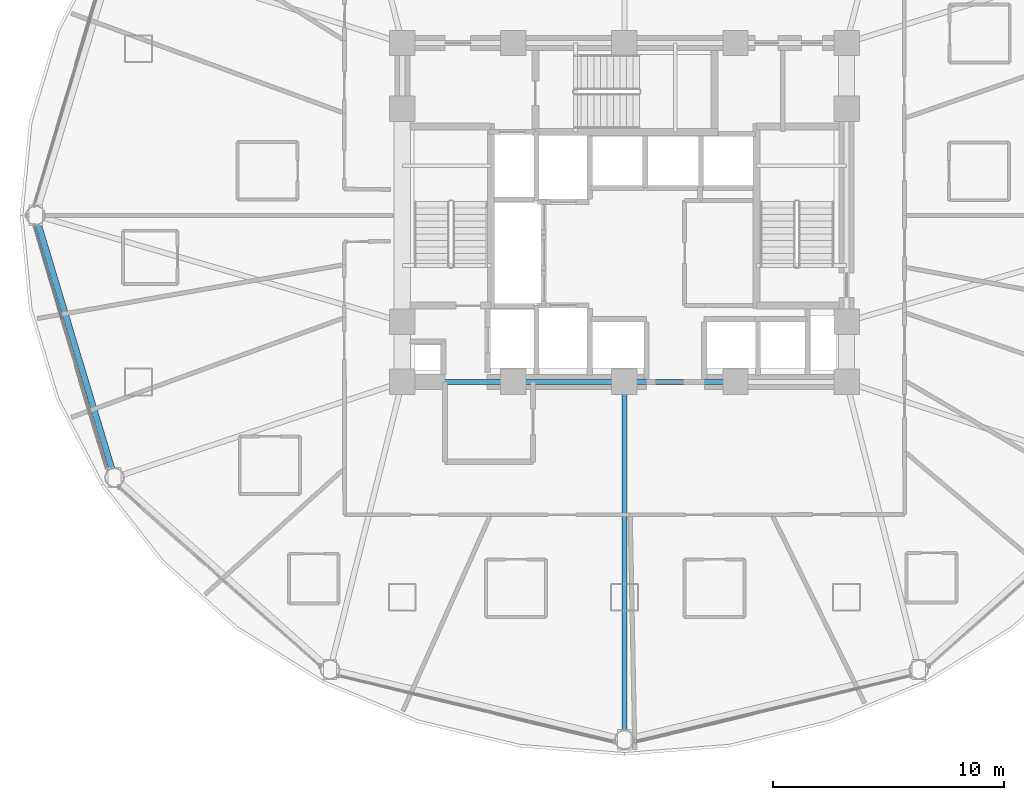
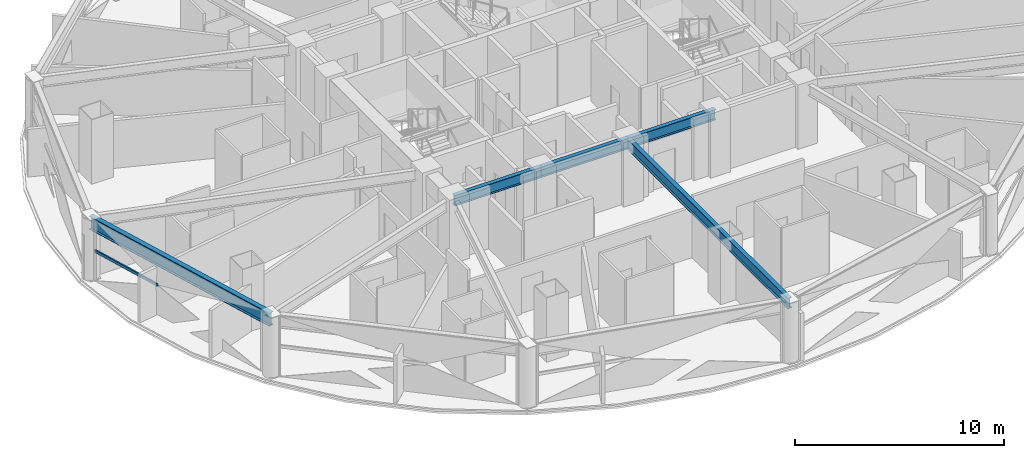
# One storey, part 6 of 31: 5 beams, 1 member, 1 element without a shape of its own.
"""IFC4 building model written with IfcOpenShell, lengths in metres."""

import ifcopenshell
import ifcopenshell.guid

model = None  # the IFC model being written
_history = None  # IfcOwnerHistory: only IFC2X3 demands one
_inside = {}  # id of a spatial element -> (the spatial element, [elements in it])
_under = {}  # id of a project, library or spatial element -> (it, [spatial elements below it])
_declared = {}  # id of a project -> (the project, [libraries it declares])
_typed = {}  # id of a type object -> (the type object, [elements of that type])
_made_of = {}  # id of a material, layer set ... -> (it, [elements and type objects made of it])


def new_model(schema):
    """Start an empty IFC model of exactly this schema.

    Asked for "IFC4X3", IfcOpenShell would pick the latest addendum, in which some entities
    have other attributes; the version numbers below select the first issue.
    IFC2X3 requires an IfcOwnerHistory on every rooted entity: one is made here for all.
    """
    global model, _history
    if schema == "IFC4X3":
        model = ifcopenshell.file(schema_version=(4, 3, 0, 0))
    else:
        model = ifcopenshell.file(schema=schema)
    _inside.clear()
    _under.clear()
    _declared.clear()
    _typed.clear()
    _made_of.clear()
    _history = None
    if model.schema == "IFC2X3":
        org = make("IfcOrganization", Name="unknown")
        user = make(
            "IfcPersonAndOrganization",
            ThePerson=make("IfcPerson", FamilyName="unknown"),
            TheOrganization=org,
        )
        app = make(
            "IfcApplication",
            ApplicationDeveloper=org,
            Version="unknown",
            ApplicationFullName="unknown",
            ApplicationIdentifier="unknown",
        )
        _history = make(
            "IfcOwnerHistory",
            OwningUser=user,
            OwningApplication=app,
            ChangeAction="ADDED",
            CreationDate=0,
        )
    return model


def make(cls, **values):
    """One entity of the class cls with the attributes given. An attribute that is None is left unset."""
    return model.create_entity(
        cls, **{name: value for name, value in values.items() if value is not None}
    )


def rooted(cls, **values):
    """An entity with a GlobalId (a new one), such as an element, a storey or a relation."""
    return make(cls, GlobalId=ifcopenshell.guid.new(), OwnerHistory=_history, **values)


def si_unit(unit_type, name, prefix=None):
    """IfcSIUnit, for example si_unit("LENGTHUNIT", "METRE", prefix="MILLI")."""
    return make("IfcSIUnit", UnitType=unit_type, Prefix=prefix, Name=name)


def assignment(units):
    """IfcUnitAssignment: the units of a project."""
    return None if units is None else make("IfcUnitAssignment", Units=units)


def point(xyz):
    """IfcCartesianPoint."""
    return None if xyz is None else make("IfcCartesianPoint", Coordinates=xyz)


def direction(xyz):
    """IfcDirection."""
    return None if xyz is None else make("IfcDirection", DirectionRatios=xyz)


def frame(location, z_axis=None, x_axis=None):
    """IfcAxis2Placement3D, a coordinate frame: its origin and axes. An axis left out is left unset."""
    return make(
        "IfcAxis2Placement3D",
        Location=point(location),
        Axis=direction(z_axis),
        RefDirection=direction(x_axis),
    )


def frame_2d(location, x_axis=None):
    """IfcAxis2Placement2D, a coordinate frame in the plane: its origin and x axis."""
    return make(
        "IfcAxis2Placement2D", Location=point(location), RefDirection=direction(x_axis)
    )


def origin():
    """The frame at (0, 0, 0) with its axes left unset."""
    return frame((0.0, 0.0, 0.0))


def origin_2d():
    """The frame at (0, 0) in the plane with its x axis left unset."""
    return frame_2d((0.0, 0.0))


def place(relative_to, where):
    """IfcLocalPlacement: puts the frame where relative to a parent placement (None: the world)."""
    return make(
        "IfcLocalPlacement", PlacementRelTo=relative_to, RelativePlacement=where
    )


def context(
    kind, dimensions, precision=None, world=None, true_north=None, identifier=None
):
    """IfcGeometricRepresentationContext, for example the 3D "Model" context."""
    return make(
        "IfcGeometricRepresentationContext",
        ContextIdentifier=identifier,
        ContextType=kind,
        CoordinateSpaceDimension=dimensions,
        Precision=precision,
        WorldCoordinateSystem=world,
        TrueNorth=true_north,
    )


def subcontext(parent, identifier, kind, view, scale=None):
    """IfcGeometricRepresentationSubContext, for example "Body" below "Model"."""
    return make(
        "IfcGeometricRepresentationSubContext",
        ContextIdentifier=identifier,
        ContextType=kind,
        ParentContext=parent,
        TargetScale=scale,
        TargetView=view,
    )


def project(units=None, contexts=None):
    """IfcProject with its units and contexts."""
    return rooted(
        "IfcProject",
        Name="project",
        RepresentationContexts=contexts,
        UnitsInContext=assignment(units),
    )


def spatial(cls, under=None, at=None, **own):
    """A site, building, storey or space (cls), placed at a placement, below another one or the project."""
    s = rooted(cls, ObjectPlacement=at, **own)
    if under is not None:
        _under.setdefault(under.id(), (under, []))[1].append(s)
    return s


def profile(cls, at=None, kind="AREA", **sizes):
    """A parametric profile (cls). Its sizes go by their IFC names, for example OverallWidth=200.0."""
    return make(cls, ProfileType=kind, Position=at, **sizes)


def hollow_rectangle(**sizes):
    """IfcRectangleHollowProfileDef."""
    return profile("IfcRectangleHollowProfileDef", **sizes)


def i_section(**sizes):
    """IfcIShapeProfileDef."""
    return profile("IfcIShapeProfileDef", **sizes)


def extrude(swept, where, along, depth):
    """IfcExtrudedAreaSolid: the profile swept, set in the frame where, extruded along a direction by depth."""
    return make(
        "IfcExtrudedAreaSolid",
        SweptArea=swept,
        Position=where,
        ExtrudedDirection=direction(along),
        Depth=depth,
    )


def shape(context_of_items, identifier, shape_type, items):
    """IfcShapeRepresentation: the items that make up one representation, for example the "Body"."""
    return make(
        "IfcShapeRepresentation",
        ContextOfItems=context_of_items,
        RepresentationIdentifier=identifier,
        RepresentationType=shape_type,
        Items=items,
    )


def material(Name=None, Category=None):
    """IfcMaterial."""
    return make("IfcMaterial", Name=Name, Category=Category)


def layer(
    of_material, thickness, ventilated=None, Name=None, Category=None, Priority=None
):
    """IfcMaterialLayer: one layer of a wall or slab, of a material (None: an air gap)."""
    return make(
        "IfcMaterialLayer",
        Material=of_material,
        LayerThickness=thickness,
        IsVentilated=ventilated,
        Name=Name,
        Category=Category,
        Priority=Priority,
    )


def layer_set(layers, Name=None):
    """IfcMaterialLayerSet."""
    return make("IfcMaterialLayerSet", MaterialLayers=layers, LayerSetName=Name)


def material_profile(
    of_material, cross_section, Name=None, Category=None, Priority=None
):
    """IfcMaterialProfile: a cross section and its material."""
    return make(
        "IfcMaterialProfile",
        Name=Name,
        Material=of_material,
        Profile=cross_section,
        Priority=Priority,
        Category=Category,
    )


def profile_set(profiles, Name=None, composite=None):
    """IfcMaterialProfileSet."""
    return make(
        "IfcMaterialProfileSet",
        Name=Name,
        MaterialProfiles=profiles,
        CompositeProfile=composite,
    )


def made_of(thing, what):
    """Note that an element or type object is made of a material, layer set ...; save() writes the relation."""
    if what is not None:
        _made_of.setdefault(what.id(), (what, []))[1].append(thing)
    return thing


def type_object(cls, material=None, **own):
    """A type object (cls), such as IfcWallType, which elements share."""
    return made_of(rooted(cls, **own), material)


def element(
    cls,
    number,
    at=None,
    inside=None,
    cuts=None,
    type_object=None,
    material=None,
    context=None,
    identifier="Body",
    shape_type=None,
    held_by="IfcProductDefinitionShape",
    body=None,
    shapes=None,
    **own,
):
    """One element of the class cls, such as IfcWall. Its Tag is "e" and its number.

    at: its placement. inside: the storey or other place that contains it. cuts: it is an
    opening in that element (IfcRelVoidsElement). A single representation is given by context,
    identifier, shape_type and body (its items); several are given by shapes. held_by: the class
    of the entity that holds the representations. save() writes the other relations.
    """
    e = rooted(cls, Tag="e%d" % number, ObjectPlacement=at, **own)
    if body is not None:
        shapes = [shape(context, identifier, shape_type, body)]
    if shapes is not None:
        e.Representation = make(held_by, Representations=shapes)
    if inside is not None:
        _inside.setdefault(inside.id(), (inside, []))[1].append(e)
    if cuts is not None:
        rooted(
            "IfcRelVoidsElement", RelatingBuildingElement=cuts, RelatedOpeningElement=e
        )
    if type_object is not None:
        _typed.setdefault(type_object.id(), (type_object, []))[1].append(e)
    return made_of(e, material)


def aggregate(whole, parts):
    """IfcRelAggregates: a whole, such as a stair, and the parts it consists of."""
    return rooted("IfcRelAggregates", RelatingObject=whole, RelatedObjects=parts)


def save(model, path):
    """Write the relations noted so far, then the file.

    IfcRelAggregates (storeys below a building ...), IfcRelContainedInSpatialStructure (elements
    in a storey), IfcRelDefinesByType, IfcRelAssociatesMaterial and IfcRelDeclares: one each for
    every whole, place, type object, material and project.
    """
    for whole, parts in _under.values():
        aggregate(whole, parts)
    for where, things in _inside.values():
        rooted(
            "IfcRelContainedInSpatialStructure",
            RelatedElements=things,
            RelatingStructure=where,
        )
    for kind, things in _typed.values():
        rooted("IfcRelDefinesByType", RelatedObjects=things, RelatingType=kind)
    for what, things in _made_of.values():
        rooted("IfcRelAssociatesMaterial", RelatedObjects=things, RelatingMaterial=what)
    for by, libraries in _declared.values():
        rooted("IfcRelDeclares", RelatingContext=by, RelatedDefinitions=libraries)
    model.write(path)


model = new_model("IFC4")

# Units and contexts
model_context = context("Model", 3, precision=1e-05, world=origin(), true_north=direction((0.0, 1.0)))
body_context = subcontext(model_context, "Body", "Model", "MODEL_VIEW")
ifc_project = project(units=[si_unit("LENGTHUNIT", "METRE"), si_unit("AREAUNIT", "SQUARE_METRE"), si_unit("VOLUMEUNIT", "CUBIC_METRE"), si_unit("PLANEANGLEUNIT", "RADIAN"), si_unit("MASSUNIT", "GRAM", prefix="KILO")], contexts=[model_context])

# Site, building, storey
site_placement = place(None, origin())
site = spatial("IfcSite", under=ifc_project, at=site_placement, CompositionType="ELEMENT")
building_placement = place(site_placement, origin())
building = spatial("IfcBuilding", under=site, at=building_placement, Name="Vantalir Tower", CompositionType="ELEMENT")
storey_placement = place(building_placement, frame((0.0, 0.0, 30.75)))
storey = spatial("IfcBuildingStorey", under=building, at=storey_placement, Name="L06", CompositionType="ELEMENT", Elevation=30.75)

# Beams
ifc_material_1 = material(Name="Steel S355", Category="steel")
ifc_material_profile_1 = material_profile(ifc_material_1, i_section(OverallWidth=0.22998046875, OverallDepth=0.616943359375, WebThickness=0.01318359375, FlangeThickness=0.022216796875, at=origin_2d()), Name="Steel S355")
ifc_profile_set_1 = profile_set([ifc_material_profile_1], Name="Steel S355")
beam_type_1 = type_object("IfcBeamType", Name="BM-RB-610x229", PredefinedType="BEAM", material=ifc_profile_set_1)
for number, where, z_axis, x_axis, name in (
    (1, (21.89990234375, 17.800048828125, 3.261962890625), (1.0, 0.0, 0.0), (0.0, 1.0, 0.0), "L06 Core Coupling Girder 01"),
    (2, (26.699951171875, 17.800048828125, 3.261962890625), (1.0, 0.0, 0.0), (0.0, 1.0, 0.0), "L06 Core Coupling Girder 02"),
    (3, (31.5, 17.800048828125, 3.261962890625), (1.0, 0.0, 0.0), (0.0, 1.0, 0.0), "L06 Core Coupling Girder 03"),
):
    element("IfcBeam", number, at=place(storey_placement, frame(where, z_axis=z_axis, x_axis=x_axis)), inside=storey, type_object=beam_type_1, Name=name, PredefinedType="BEAM", context=body_context, shape_type="SweptSolid", body=[
        extrude(i_section(OverallWidth=0.22998046875, OverallDepth=0.616943359375, WebThickness=0.01318359375, FlangeThickness=0.022216796875, at=origin_2d()), origin(), (0.0, 0.0, 1.0), 4.800048828125),
    ])
beam_1_placement = place(storey_placement, frame((31.5, 2.3359375, 3.261962890625), z_axis=(0.0, 1.0, 0.0), x_axis=(-1.0, 0.0, 0.0)))
element("IfcBeam", 4, at=beam_1_placement, inside=storey, type_object=beam_type_1, Name="L06 Radial Floor Beam 10", PredefinedType="BEAM", context=body_context, shape_type="SweptSolid", body=[
    extrude(i_section(OverallWidth=0.22998046875, OverallDepth=0.616943359375, WebThickness=0.01318359375, FlangeThickness=0.022216796875, at=origin_2d()), origin(), (0.0, 0.0, 1.0), 15.464111328125),
])
ifc_material_2 = material(Name="Steel S460", Category="steel")
ifc_material_profile_2 = material_profile(ifc_material_2, i_section(OverallWidth=0.26806640625, OverallDepth=0.77001953125, WebThickness=0.015625, FlangeThickness=0.025390625, at=origin_2d()), Name="Steel S460")
ifc_profile_set_2 = profile_set([ifc_material_profile_2], Name="Steel S460")
beam_type_2 = type_object("IfcBeamType", Name="BM-RG-762x267", PredefinedType="USERDEFINED", material=ifc_profile_set_2)
beam_2_placement = place(storey_placement, frame((6.050048828125, 25.0, 3.18505859375), z_axis=(0.288146508643, -0.957586335302, 0.0), x_axis=(0.957586335302, 0.288146508643, 0.0)))
element("IfcBeam", 5, at=beam_2_placement, inside=storey, type_object=beam_type_2, Name="L06 Circumferential Ring Girder 07", ObjectType="GIRDER", PredefinedType="USERDEFINED", context=body_context, shape_type="SweptSolid", body=[
    extrude(i_section(OverallWidth=0.26806640625, OverallDepth=0.77001953125, WebThickness=0.015625, FlangeThickness=0.025390625, at=origin_2d()), origin(), (0.0, 0.0, 1.0), 11.833984375),
])

# Curtain wall, member
ifc_material_3 = material(Name="Champagne-silver PVDF aluminium and double-silver Low-E glass", Category="aluminium")
ifc_layer = layer(ifc_material_3, 0.18994140625)
ifc_layer_set = layer_set([ifc_layer], Name="Champagne-silver PVDF aluminium and double-silver Low-E glass")
curtain_wall_type = type_object("IfcCurtainWallType", Name="CW-DIAMOND-Z1", PredefinedType="USERDEFINED", material=ifc_layer_set)
curtain_wall_placement = place(storey_placement, origin())
curtain_wall = element("IfcCurtainWall", 6, at=curtain_wall_placement, inside=storey, type_object=curtain_wall_type, Name="L06 Quilted Pyramid-Diamond Curtain Wall S07", ObjectType="UNITISED CURTAIN WALL", PredefinedType="USERDEFINED")
ifc_material_4 = material(Name="Champagne-silver PVDF aluminium 6063-T6", Category="aluminium")
ifc_material_profile_3 = material_profile(ifc_material_4, hollow_rectangle(XDim=0.074951171875, YDim=0.159912109375, WallThickness=0.00390625, at=origin_2d()), Name="Champagne-silver PVDF aluminium 6063-T6")
ifc_profile_set_3 = profile_set([ifc_material_profile_3], Name="Champagne-silver PVDF aluminium 6063-T6")
member_type = type_object("IfcMemberType", Name="CWT-160x75", PredefinedType="USERDEFINED", material=ifc_profile_set_3)
member_placement = place(storey_placement, frame((5.9951171875, 24.550048828125, 1.784912109375), z_axis=(0.282381598716, -0.959302159232, 0.0), x_axis=(0.959302159232, 0.282381598716, 0.0)))
member = element("IfcMember", 7, at=member_placement, type_object=member_type, Name="CW-L06-S07 Pyramid Fold Ridge Transom", ObjectType="TRANSOM", PredefinedType="USERDEFINED", context=body_context, shape_type="SweptSolid", body=[
    extrude(hollow_rectangle(XDim=0.074951171875, YDim=0.159912109375, WallThickness=0.00390625, at=origin_2d()), origin(), (0.0, 0.0, 1.0), 4.175048828125),
])
aggregate(curtain_wall, [member])

save(model, "model.ifc")
